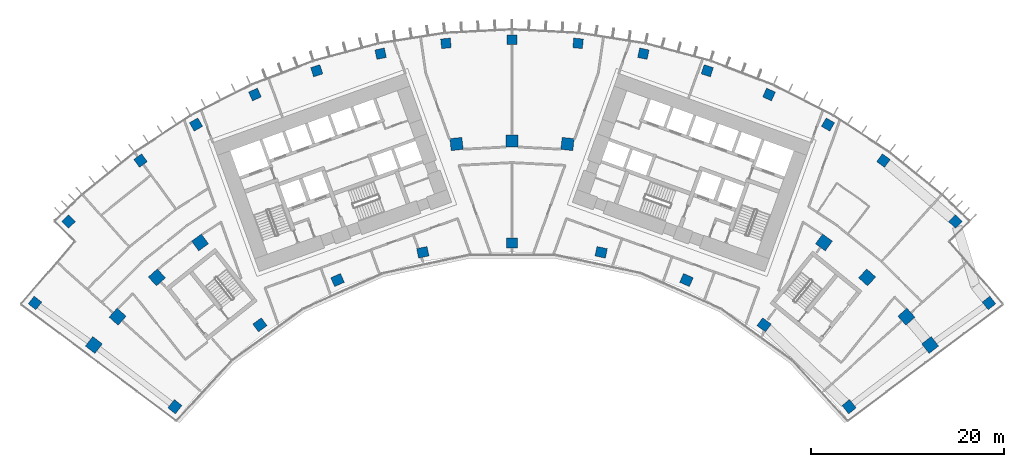
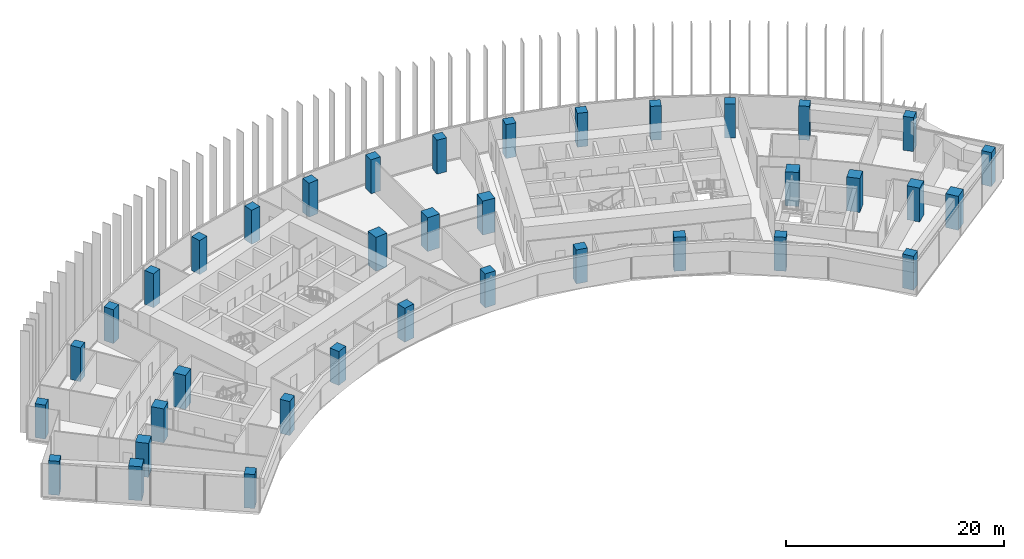
# One storey, part 1 of 22: 37 columns.
"""IFC4 building model written with IfcOpenShell, lengths in metres."""

from ifc_helpers import new_model, si_unit, direction, frame, origin, origin_2d, place, context, subcontext, project, spatial, rectangle, extrude, material, material_profile, profile_set, type_object, element, save


model = new_model("IFC4")

# Units and contexts
model_context = context("Model", 3, precision=1e-05, world=origin(), true_north=direction((0.0, 1.0)))
body_context = subcontext(model_context, "Body", "Model", "MODEL_VIEW")
ifc_project = project(units=[si_unit("LENGTHUNIT", "METRE"), si_unit("AREAUNIT", "SQUARE_METRE"), si_unit("VOLUMEUNIT", "CUBIC_METRE"), si_unit("PLANEANGLEUNIT", "RADIAN"), si_unit("MASSUNIT", "GRAM", prefix="KILO")], contexts=[model_context])

# Site, building, storey
site_placement = place(None, origin())
site = spatial("IfcSite", under=ifc_project, at=site_placement, CompositionType="ELEMENT")
building_placement = place(site_placement, origin())
building = spatial("IfcBuilding", under=site, at=building_placement, Name="Stone Belt Terrace Tower", CompositionType="ELEMENT")
storey_placement = place(building_placement, frame((0.0, 0.0, 155.39990234375)))
storey = spatial("IfcBuildingStorey", under=building, at=storey_placement, Name="L37", CompositionType="ELEMENT", Elevation=155.39990234375)

# Columns
ifc_material = material(Name="Concrete B80", Category="concrete")
ifc_material_profile_1 = material_profile(ifc_material, rectangle(XDim=1.0, YDim=1.0, at=origin_2d()), Name="RC 1000x1000")
ifc_profile_set_1 = profile_set([ifc_material_profile_1], Name="Concrete B80")
column_type_1 = type_object("IfcColumnType", Name="Column RC 1000x1000 B80", PredefinedType="COLUMN", material=ifc_profile_set_1)
for number, where, z_axis, x_axis, name in (
    (1, (-49.432861328125, 38.226318359375, 0.0), (0.0, 0.0, 1.0), (0.611730019057, 0.791066611472, 0.0), "Column L37 RA"),
    (2, (49.432861328125, 38.226318359375, 0.0), (0.0, 0.0, 1.0), (0.611730019057, -0.791066611472, 0.0), "Column L37 RB"),
    (3, (-45.95849609375, 46.654296875, 0.0), (0.0, 0.0, 1.0), (0.712398494182, 0.701775167334, 0.0), "Column L37 RNA"),
    (4, (-38.493408203125, 52.981689453125, 0.0), (0.0, 0.0, 1.0), (0.809016994375, 0.587785252292, 0.0), "Column L37 R16"),
    (5, (-32.744384765625, 56.715087890625, 0.0), (0.0, 0.0, 1.0), (0.866025403784, 0.5, 0.0), "Column L37 R17"),
    (6, (-26.63671875, 59.8271484375, 0.0), (0.0, 0.0, 1.0), (0.913545457643, 0.406736643076, 0.0), "Column L37 R18"),
    (7, (-20.2373046875, 62.28369140625, 0.0), (0.0, 0.0, 1.0), (0.951056516295, 0.309016994375, 0.0), "Column L37 R19"),
    (8, (-13.615966796875, 64.057861328125, 0.0), (0.0, 0.0, 1.0), (0.978147600734, 0.207911690818, 0.0), "Column L37 R20"),
    (9, (-6.845458984375, 65.130126953125, 0.0), (0.0, 0.0, 1.0), (0.994521895368, 0.104528463268, 0.0), "Column L37 R21"),
    (10, (0.0, 65.489013671875, 0.0), (0.0, 0.0, 1.0), (1.0, 0.0, 0.0), "Column L37 R22"),
    (11, (6.845458984375, 65.130126953125, 0.0), (0.0, 0.0, 1.0), (0.994521895368, -0.104528463268, 0.0), "Column L37 R23"),
    (12, (13.615966796875, 64.057861328125, 0.0), (0.0, 0.0, 1.0), (0.978147600734, -0.207911690818, 0.0), "Column L37 R24"),
    (13, (20.2373046875, 62.28369140625, 0.0), (0.0, 0.0, 1.0), (0.951056516295, -0.309016994375, 0.0), "Column L37 R25"),
    (14, (26.63671875, 59.8271484375, 0.0), (0.0, 0.0, 1.0), (0.913545457643, -0.406736643076, 0.0), "Column L37 R26"),
    (15, (32.744384765625, 56.715087890625, 0.0), (0.0, 0.0, 1.0), (0.866025403784, -0.5, 0.0), "Column L37 R27"),
    (16, (38.493408203125, 52.981689453125, 0.0), (0.0, 0.0, 1.0), (0.809016994375, -0.587785252292, 0.0), "Column L37 R28"),
    (17, (45.95849609375, 46.654296875, 0.0), (0.0, 0.0, 1.0), (0.712398494182, -0.701775167334, 0.0), "Column L37 RNB"),
):
    element("IfcColumn", number, at=place(storey_placement, frame(where, z_axis=z_axis, x_axis=x_axis)), inside=storey, type_object=column_type_1, Name=name, PredefinedType="COLUMN", context=body_context, shape_type="SweptSolid", body=[
        extrude(rectangle(XDim=1.0, YDim=1.0, at=origin_2d()), origin(), (0.0, 0.0, 1.0), 3.800048828125),
    ])
ifc_material_profile_2 = material_profile(ifc_material, rectangle(XDim=1.10009765625, YDim=1.0, at=origin_2d()), Name="RC 1100x1000")
ifc_profile_set_2 = profile_set([ifc_material_profile_2], Name="Concrete B80")
column_type_2 = type_object("IfcColumnType", Name="Column RC 1100x1000 B80", PredefinedType="COLUMN", material=ifc_profile_set_2)
for number, where, z_axis, x_axis, name in (
    (18, (-34.93408203125, 27.476806640625, 0.0), (0.0, 0.0, 1.0), (0.618217727677, 0.786006896399, 0.0), "Column L37 PA"),
    (19, (-26.1240234375, 35.956787109375, 0.0), (0.0, 0.0, 1.0), (0.809016994375, 0.587785252292, 0.0), "Column L37 P16"),
    (20, (-18.077392578125, 40.6025390625, 0.0), (0.0, 0.0, 1.0), (0.913545457643, 0.406736643076, 0.0), "Column L37 P18"),
    (21, (-9.240478515625, 43.473876953125, 0.0), (0.0, 0.0, 1.0), (0.978147600734, 0.207911690818, 0.0), "Column L37 P20"),
    (22, (0.0, 44.445068359375, 0.0), (0.0, 0.0, 1.0), (1.0, 0.0, 0.0), "Column L37 P22"),
    (23, (9.240478515625, 43.473876953125, 0.0), (0.0, 0.0, 1.0), (0.978147600734, -0.207911690818, 0.0), "Column L37 P24"),
    (24, (18.077392578125, 40.6025390625, 0.0), (0.0, 0.0, 1.0), (0.913545457643, -0.406736643076, 0.0), "Column L37 P26"),
    (25, (26.1240234375, 35.956787109375, 0.0), (0.0, 0.0, 1.0), (0.809016994375, -0.587785252292, 0.0), "Column L37 P28"),
    (26, (34.93408203125, 27.476806640625, 0.0), (0.0, 0.0, 1.0), (0.618217727677, -0.786006896399, 0.0), "Column L37 PB"),
):
    element("IfcColumn", number, at=place(storey_placement, frame(where, z_axis=z_axis, x_axis=x_axis)), inside=storey, type_object=column_type_2, Name=name, PredefinedType="COLUMN", context=body_context, shape_type="SweptSolid", body=[
        extrude(rectangle(XDim=1.10009765625, YDim=1.0, at=origin_2d()), origin(), (0.0, 0.0, 1.0), 3.800048828125),
    ])
ifc_material_profile_3 = material_profile(ifc_material, rectangle(XDim=1.25, YDim=1.25, at=origin_2d()), Name="RC 1250x1250")
ifc_profile_set_3 = profile_set([ifc_material_profile_3], Name="Concrete B80")
column_type_3 = type_object("IfcColumnType", Name="Column RC 1250x1250 B80", PredefinedType="COLUMN", material=ifc_profile_set_3)
for number, where, z_axis, x_axis, name in (
    (27, (-43.33349609375, 33.870361328125, 0.0), (0.0, 0.0, 1.0), (0.615825127294, 0.787882867306, 0.0), "Column L37 QA"),
    (28, (-40.873046875, 36.80224609375, 0.0), (0.0, 0.0, 1.0), (0.669130606359, 0.743144825477, 0.0), "Column L37 Q14"),
    (29, (-36.80224609375, 40.873046875, 0.0), (0.0, 0.0, 1.0), (0.743144825477, 0.669130606359, 0.0), "Column L37 Q15"),
    (30, (-32.328125, 44.495849609375, 0.0), (0.0, 0.0, 1.0), (0.809016994375, 0.587785252292, 0.0), "Column L37 Q16"),
    (31, (-5.7490234375, 54.69873046875, 0.0), (0.0, 0.0, 1.0), (0.994521895368, 0.104528463268, 0.0), "Column L37 Q21"),
    (32, (0.0, 55.0, 0.0), (0.0, 0.0, 1.0), (1.0, 0.0, 0.0), "Column L37 Q22"),
    (33, (5.7490234375, 54.69873046875, 0.0), (0.0, 0.0, 1.0), (0.994521895368, -0.104528463268, 0.0), "Column L37 Q23"),
    (34, (32.328125, 44.495849609375, 0.0), (0.0, 0.0, 1.0), (0.809016994375, -0.587785252292, 0.0), "Column L37 Q28"),
    (35, (36.80224609375, 40.873046875, 0.0), (0.0, 0.0, 1.0), (0.743144825477, -0.669130606359, 0.0), "Column L37 Q29"),
    (36, (40.873046875, 36.80224609375, 0.0), (0.0, 0.0, 1.0), (0.669130606359, -0.743144825477, 0.0), "Column L37 Q30"),
    (37, (43.33349609375, 33.870361328125, 0.0), (0.0, 0.0, 1.0), (0.615825127294, -0.787882867306, 0.0), "Column L37 QB"),
):
    element("IfcColumn", number, at=place(storey_placement, frame(where, z_axis=z_axis, x_axis=x_axis)), inside=storey, type_object=column_type_3, Name=name, PredefinedType="COLUMN", context=body_context, shape_type="SweptSolid", body=[
        extrude(rectangle(XDim=1.25, YDim=1.25, at=origin_2d()), origin(), (0.0, 0.0, 1.0), 3.800048828125),
    ])

save(model, "model.ifc")
